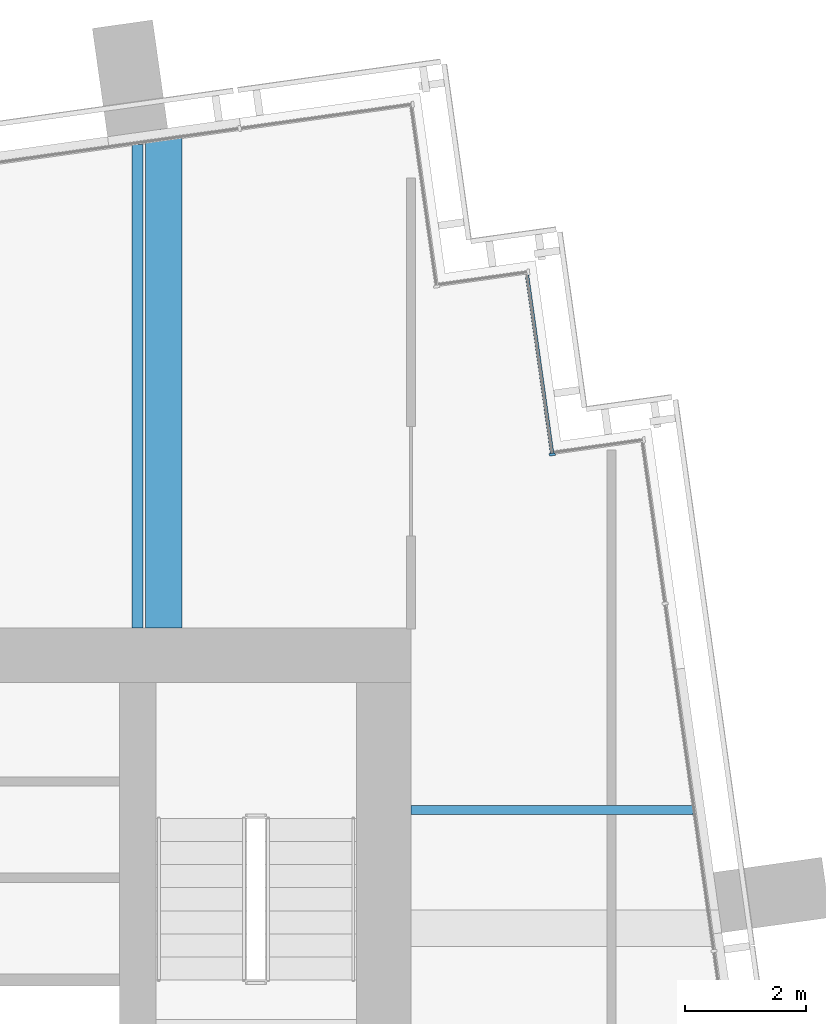
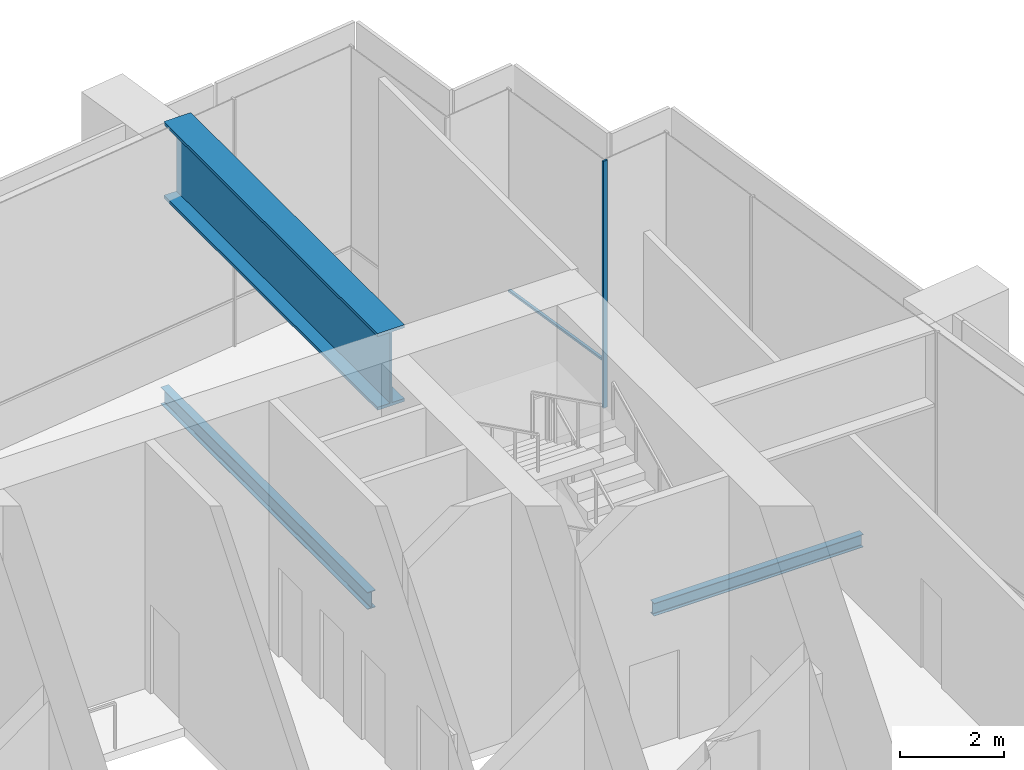
# One storey, part 14 of 25: 3 beams, 2 members, 1 element without a shape of its own.
"""IFC4 building model written with IfcOpenShell, lengths in metres."""

from ifc_helpers import new_model, si_unit, direction, frame, origin, origin_2d, place, context, subcontext, project, spatial, rectangle, i_section, extrude, material, layer, layer_set, material_profile, profile_set, type_object, element, aggregate, save


model = new_model("IFC4")

# Units and contexts
model_context = context("Model", 3, precision=1e-05, world=origin(), true_north=direction((0.0, 1.0)))
body_context = subcontext(model_context, "Body", "Model", "MODEL_VIEW")
ifc_project = project(units=[si_unit("LENGTHUNIT", "METRE"), si_unit("AREAUNIT", "SQUARE_METRE"), si_unit("VOLUMEUNIT", "CUBIC_METRE"), si_unit("PLANEANGLEUNIT", "RADIAN"), si_unit("MASSUNIT", "GRAM", prefix="KILO")], contexts=[model_context])

# Site, building, storey
site_placement = place(None, origin())
site = spatial("IfcSite", under=ifc_project, at=site_placement, CompositionType="ELEMENT")
building_placement = place(site_placement, origin())
building = spatial("IfcBuilding", under=site, at=building_placement, Name="Rattan Terrace Tower", CompositionType="ELEMENT")
storey_placement = place(building_placement, frame((0.0, 0.0, 286.300048828125)))
storey = spatial("IfcBuildingStorey", under=building, at=storey_placement, Name="L66", CompositionType="ELEMENT", Elevation=286.300048828125)

# Beams
ifc_material_1 = material(Name="Steel S355", Category="steel")
ifc_material_profile_1 = material_profile(ifc_material_1, i_section(OverallWidth=0.14990234375, OverallDepth=0.300048828125, WebThickness=0.007080078125, FlangeThickness=0.0107421875, FilletRadius=0.014892578125, at=origin_2d()), Name="IPE 300")
ifc_profile_set_1 = profile_set([ifc_material_profile_1], Name="Steel S355")
beam_type_1 = type_object("IfcBeamType", Name="Frame floor beam IPE 300", PredefinedType="JOIST", material=ifc_profile_set_1)
beam_1_placement = place(storey_placement, frame((18.0, 4.5, -0.35009765625), z_axis=(1.0, 0.0, 0.0), x_axis=(0.0, 1.0, 0.0)))
element("IfcBeam", 1, at=beam_1_placement, inside=storey, type_object=beam_type_1, Name="bm-L66-014", PredefinedType="JOIST", context=body_context, shape_type="SweptSolid", body=[
    extrude(i_section(OverallWidth=0.14990234375, OverallDepth=0.300048828125, WebThickness=0.007080078125, FlangeThickness=0.0107421875, FilletRadius=0.014892578125, at=origin_2d()), origin(), (0.0, 0.0, 1.0), 4.64404296875),
])
ifc_material_2 = material(Name="Steel S355", Category="steel")
ifc_material_profile_2 = material_profile(ifc_material_2, i_section(OverallWidth=0.179931640625, OverallDepth=0.39990234375, WebThickness=0.008544921875, FlangeThickness=0.013427734375, FilletRadius=0.02099609375, at=origin_2d()), Name="IPE 400")
ifc_profile_set_2 = profile_set([ifc_material_profile_2], Name="Steel S355")
beam_type_2 = type_object("IfcBeamType", Name="Frame floor beam IPE 400", PredefinedType="JOIST", material=ifc_profile_set_2)
beam_2_placement = place(storey_placement, frame((13.5, 7.5, -0.400146484375), z_axis=(0.0, 1.0, 0.0), x_axis=(-1.0, 0.0, 0.0)))
element("IfcBeam", 2, at=beam_2_placement, inside=storey, type_object=beam_type_2, Name="bm-L66-021", PredefinedType="JOIST", context=body_context, shape_type="SweptSolid", body=[
    extrude(i_section(OverallWidth=0.179931640625, OverallDepth=0.39990234375, WebThickness=0.008544921875, FlangeThickness=0.013427734375, FilletRadius=0.02099609375, at=origin_2d()), origin(), (0.0, 0.0, 1.0), 7.9599609375),
])
ifc_material_3 = material(Name="Steel S460", Category="steel")
ifc_material_profile_3 = material_profile(ifc_material_3, i_section(OverallWidth=0.60009765625, OverallDepth=1.800048828125, WebThickness=0.0400390625, FlangeThickness=0.070068359375, at=origin_2d()), Name="PG 1800x600-40-70")
ifc_profile_set_3 = profile_set([ifc_material_profile_3], Name="Steel S460")
beam_type_3 = type_object("IfcBeamType", Name="Frame transfer girder PG 1800x600-40-70", PredefinedType="USERDEFINED", material=ifc_profile_set_3)
beam_3_placement = place(storey_placement, frame((13.929931640625, 7.5, 4.89990234375), z_axis=(0.0, 1.0, 0.0), x_axis=(-1.0, 0.0, 0.0)))
element("IfcBeam", 3, at=beam_3_placement, inside=storey, type_object=beam_type_3, Name="trf-L66-015", ObjectType="TRANSFER GIRDER", PredefinedType="USERDEFINED", context=body_context, shape_type="SweptSolid", body=[
    extrude(i_section(OverallWidth=0.60009765625, OverallDepth=1.800048828125, WebThickness=0.0400390625, FlangeThickness=0.070068359375, at=origin_2d()), origin(), (0.0, 0.0, 1.0), 8.215087890625),
])

# Curtain wall, members
ifc_material_4 = material(Name="Aluminium and structural silicone glass", Category="aluminium")
ifc_layer = layer(ifc_material_4, 0.10009765625)
ifc_layer_set = layer_set([ifc_layer], Name="Observation Structural Silicone Curtain Wall")
curtain_wall_type = type_object("IfcCurtainWallType", Name="Observation Structural Silicone Curtain Wall", PredefinedType="NOTDEFINED", material=ifc_layer_set)
curtain_wall_placement = place(storey_placement, origin())
curtain_wall = element("IfcCurtainWall", 4, at=curtain_wall_placement, inside=storey, type_object=curtain_wall_type, Name="Observation curtain wall L66-8", PredefinedType="NOTDEFINED")
ifc_material_5 = material(Name="Aluminium", Category="aluminium")
ifc_material_profile_4 = material_profile(ifc_material_5, rectangle(XDim=0.0400390625, YDim=0.10009765625, at=origin_2d()), Name="Aluminium 40x100")
ifc_profile_set_4 = profile_set([ifc_material_profile_4], Name="Aluminium")
member_type_1 = type_object("IfcMemberType", Name="Observation CW Mullion 40x100", PredefinedType="MULLION", material=ifc_profile_set_4)
member_1_placement = place(storey_placement, frame((20.326416015625, 10.352294921875, 0.0), z_axis=(0.0, 0.0, 1.0), x_axis=(-0.139321220646, 0.990247240581, 0.0)))
member_1 = element("IfcMember", 5, at=member_1_placement, type_object=member_type_1, Name="Mullion cwl-L66-008.1", PredefinedType="MULLION", context=body_context, shape_type="SweptSolid", body=[
    extrude(rectangle(XDim=0.0400390625, YDim=0.10009765625, at=origin_2d()), origin(), (0.0, 0.0, 1.0), 5.800048828125),
])
ifc_material_6 = material(Name="Aluminium", Category="aluminium")
ifc_material_profile_5 = material_profile(ifc_material_6, rectangle(XDim=0.06005859375, YDim=0.050048828125, at=origin_2d()), Name="Aluminium 60x50")
ifc_profile_set_5 = profile_set([ifc_material_profile_5], Name="Aluminium")
member_type_2 = type_object("IfcMemberType", Name="Observation CW Transom 60x50", PredefinedType="USERDEFINED", material=ifc_profile_set_5)
member_2_placement = place(storey_placement, frame((20.32373046875, 10.3720703125, 1.099853515625), z_axis=(-0.139296531663, 0.990250713843, 0.0), x_axis=(-0.990250713843, -0.139296531663, 0.0)))
member_2 = element("IfcMember", 6, at=member_2_placement, type_object=member_type_2, Name="Transom cwl-L66-008.1", ObjectType="TRANSOM", PredefinedType="USERDEFINED", context=body_context, shape_type="SweptSolid", body=[
    extrude(rectangle(XDim=0.06005859375, YDim=0.050048828125, at=origin_2d()), origin(), (0.0, 0.0, 1.0), 2.960205078125),
])
aggregate(curtain_wall, [member_1, member_2])

save(model, "model.ifc")
